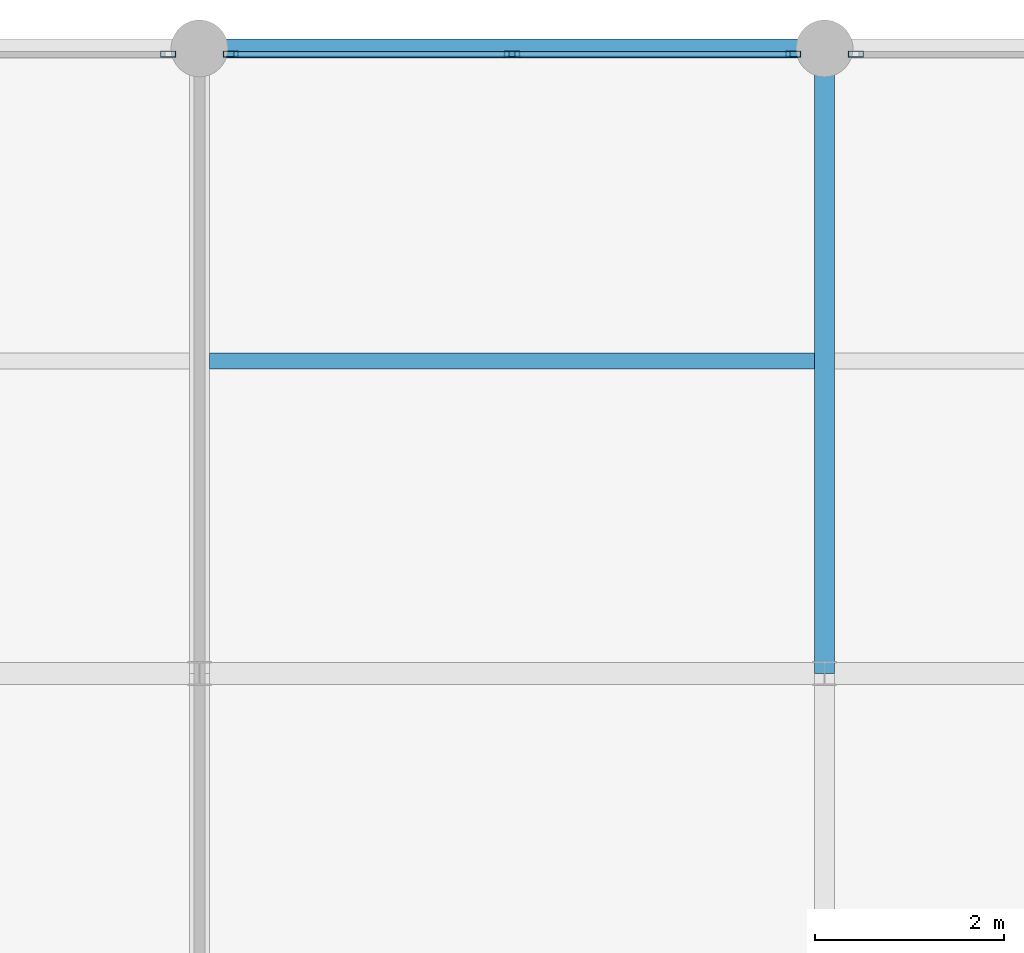
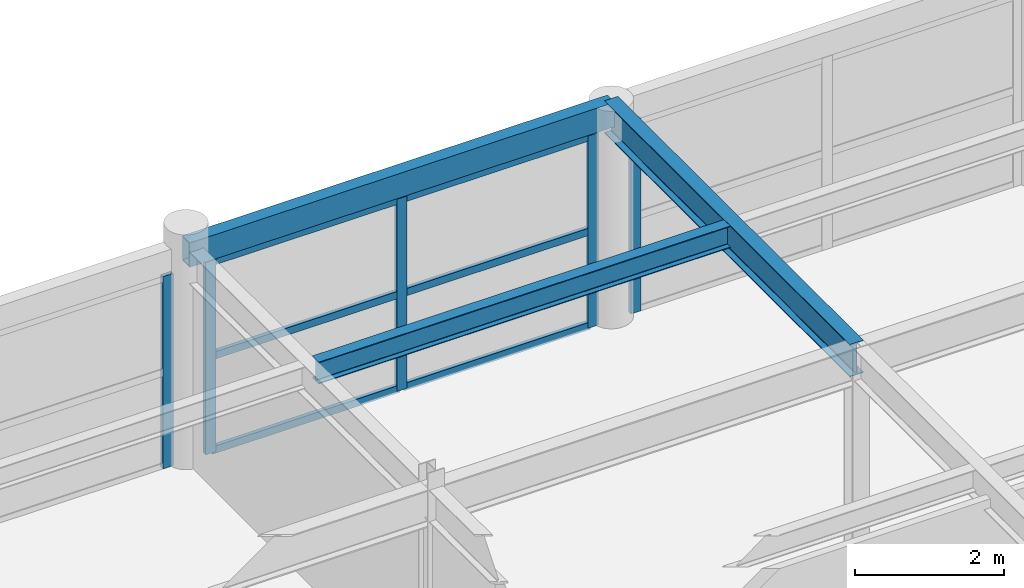
# One storey, part 10 of 17: 11 members, 3 beams, 3 elements without a shape of their own.
"""IFC4 building model written with IfcOpenShell, lengths in metres."""

from ifc_helpers import new_model, si_unit, direction, frame, origin, origin_2d, place, context, subcontext, project, spatial, hollow_rectangle, i_section, extrude, material, material_profile, profile_set, type_object, element, aggregate, save


model = new_model("IFC4")

# Units and contexts
model_context = context("Model", 3, precision=1e-05, world=origin(), true_north=direction((0.0, 1.0)))
body_context = subcontext(model_context, "Body", "Model", "MODEL_VIEW")
ifc_project = project(units=[si_unit("LENGTHUNIT", "METRE"), si_unit("AREAUNIT", "SQUARE_METRE"), si_unit("VOLUMEUNIT", "CUBIC_METRE"), si_unit("PLANEANGLEUNIT", "RADIAN"), si_unit("MASSUNIT", "GRAM", prefix="KILO")], contexts=[model_context])

# Site, building, storey
site_placement = place(None, origin())
site = spatial("IfcSite", under=ifc_project, at=site_placement, CompositionType="ELEMENT")
building_placement = place(site_placement, origin())
building = spatial("IfcBuilding", under=site, at=building_placement, Name="Karori Crest Natural Sciences Institute", CompositionType="ELEMENT")
storey_placement = place(building_placement, frame((0.0, 0.0, 38.14990234375)))
storey = spatial("IfcBuildingStorey", under=building, at=storey_placement, Name="L09", CompositionType="ELEMENT", Elevation=38.14990234375)

# Beams
ifc_material_1 = material(Name="Structural steel AS/NZS 3679.1 Grade 350", Category="steel")
ifc_material_profile_1 = material_profile(ifc_material_1, i_section(OverallWidth=0.208984375, OverallDepth=0.532958984375, WebThickness=0.01025390625, FlangeThickness=0.015625, FilletRadius=0.013916015625, at=origin_2d()), Name="530UB92.4")
ifc_profile_set_1 = profile_set([ifc_material_profile_1], Name="Structural steel AS/NZS 3679.1 Grade 350")
beam_type_1 = type_object("IfcBeamType", Name="BT-05", PredefinedType="BEAM", material=ifc_profile_set_1)
beam_1_placement = place(storey_placement, frame((143.199951171875, 14.0, 3.3037109375), z_axis=(0.0, 1.0, 0.0), x_axis=(-1.0, 0.0, 0.0)))
element("IfcBeam", 1, at=beam_1_placement, inside=storey, type_object=beam_type_1, Name="Beam B-2808", PredefinedType="BEAM", context=body_context, shape_type="SweptSolid", body=[
    extrude(i_section(OverallWidth=0.208984375, OverallDepth=0.532958984375, WebThickness=0.01025390625, FlangeThickness=0.015625, FilletRadius=0.013916015625, at=origin_2d()), origin(), (0.0, 0.0, 1.0), 6.60009765625),
])
ifc_material_profile_2 = material_profile(ifc_material_1, i_section(OverallWidth=0.172119140625, OverallDepth=0.35888671875, WebThickness=0.008056640625, FlangeThickness=0.012939453125, FilletRadius=0.010986328125, at=origin_2d()), Name="360UB56.7")
ifc_profile_set_2 = profile_set([ifc_material_profile_2], Name="Structural steel AS/NZS 3679.1 Grade 350")
beam_type_2 = type_object("IfcBeamType", Name="BT-08", PredefinedType="BEAM", material=ifc_profile_set_2)
beam_2_placement = place(storey_placement, frame((136.70458984375, 17.300048828125, 3.390625), z_axis=(1.0, 0.0, 0.0), x_axis=(0.0, 1.0, 0.0)))
element("IfcBeam", 2, at=beam_2_placement, inside=storey, type_object=beam_type_2, Name="Beam B-2825", PredefinedType="BEAM", context=body_context, shape_type="SweptSolid", body=[
    extrude(i_section(OverallWidth=0.172119140625, OverallDepth=0.35888671875, WebThickness=0.008056640625, FlangeThickness=0.012939453125, FilletRadius=0.010986328125, at=origin_2d()), origin(), (0.0, 0.0, 1.0), 6.390869140625),
])
ifc_material_2 = material(Name="Hollow structural steel AS/NZS 1163 Grade C350", Category="steel")
ifc_material_profile_3 = material_profile(ifc_material_2, hollow_rectangle(XDim=0.199951171875, YDim=0.39990234375, WallThickness=0.012451171875, at=origin_2d()), Name="RHS400x200x12.5")
ifc_profile_set_3 = profile_set([ifc_material_profile_3], Name="Hollow structural steel AS/NZS 1163 Grade C350")
beam_type_3 = type_object("IfcBeamType", Name="BT-14", PredefinedType="SPANDREL", material=ifc_profile_set_3)
beam_3_placement = place(storey_placement, frame((136.60009765625, 20.60009765625, 3.3701171875), z_axis=(1.0, 0.0, 0.0), x_axis=(0.0, 1.0, 0.0)))
element("IfcBeam", 3, at=beam_3_placement, inside=storey, type_object=beam_type_3, Name="Beam B-2786", PredefinedType="SPANDREL", context=body_context, shape_type="SweptSolid", body=[
    extrude(hollow_rectangle(XDim=0.199951171875, YDim=0.39990234375, WallThickness=0.012451171875, at=origin_2d()), origin(), (0.0, 0.0, 1.0), 6.599853515625),
])

# Curtain wall, member
ifc_material_3 = material(Name="Anodised architectural aluminium 6063-T6", Category="aluminium")
curtain_wall_type = type_object("IfcCurtainWallType", Name="CWT-20", PredefinedType="NOTDEFINED", material=ifc_material_3)
curtain_wall_1_placement = place(storey_placement, origin())
curtain_wall_1 = element("IfcCurtainWall", 4, at=curtain_wall_1_placement, inside=storey, type_object=curtain_wall_type, Name="Curtain wall CW-0376", PredefinedType="NOTDEFINED")
ifc_material_profile_4 = material_profile(ifc_material_3, hollow_rectangle(XDim=0.06494140625, YDim=0.159912109375, WallThickness=0.00390625, at=origin_2d()), Name="CWM160x65x4")
ifc_profile_set_4 = profile_set([ifc_material_profile_4], Name="Anodised architectural aluminium 6063-T6")
member_type_1 = type_object("IfcMemberType", Name="CWM-01", PredefinedType="MULLION", material=ifc_profile_set_4)
member_1_placement = place(storey_placement, frame((136.26953125, 20.5400390625, 0.0), z_axis=(0.0, 0.0, 1.0), x_axis=(0.0, 1.0, 0.0)))
member_1 = element("IfcMember", 5, at=member_1_placement, type_object=member_type_1, Name="CW-0376 mullion 3", PredefinedType="MULLION", context=body_context, shape_type="SweptSolid", body=[
    extrude(hollow_rectangle(XDim=0.06494140625, YDim=0.159912109375, WallThickness=0.00390625, at=origin_2d()), origin(), (0.0, 0.0, 1.0), 3.155029296875),
])
aggregate(curtain_wall_1, [member_1])

# Curtain wall, members
curtain_wall_2_placement = place(storey_placement, origin())
curtain_wall_2 = element("IfcCurtainWall", 6, at=curtain_wall_2_placement, inside=storey, type_object=curtain_wall_type, Name="Curtain wall CW-0377", PredefinedType="NOTDEFINED")
member_2_placement = place(storey_placement, frame((136.930419921875, 20.5400390625, 0.0), z_axis=(0.0, 0.0, 1.0), x_axis=(0.0, 1.0, 0.0)))
member_2 = element("IfcMember", 7, at=member_2_placement, type_object=member_type_1, Name="CW-0377 mullion 1", PredefinedType="MULLION", context=body_context, shape_type="SweptSolid", body=[
    extrude(hollow_rectangle(XDim=0.06494140625, YDim=0.159912109375, WallThickness=0.00390625, at=origin_2d()), origin(), (0.0, 0.0, 1.0), 3.155029296875),
])
member_3_placement = place(storey_placement, frame((139.89990234375, 20.5400390625, 0.0), z_axis=(0.0, 0.0, 1.0), x_axis=(0.0, 1.0, 0.0)))
member_3 = element("IfcMember", 8, at=member_3_placement, type_object=member_type_1, Name="CW-0377 mullion 2", PredefinedType="MULLION", context=body_context, shape_type="SweptSolid", body=[
    extrude(hollow_rectangle(XDim=0.06494140625, YDim=0.159912109375, WallThickness=0.00390625, at=origin_2d()), origin(), (0.0, 0.0, 1.0), 3.155029296875),
])
member_4_placement = place(storey_placement, frame((142.869384765625, 20.5400390625, 0.0), z_axis=(0.0, 0.0, 1.0), x_axis=(0.0, 1.0, 0.0)))
member_4 = element("IfcMember", 9, at=member_4_placement, type_object=member_type_1, Name="CW-0377 mullion 3", PredefinedType="MULLION", context=body_context, shape_type="SweptSolid", body=[
    extrude(hollow_rectangle(XDim=0.06494140625, YDim=0.159912109375, WallThickness=0.00390625, at=origin_2d()), origin(), (0.0, 0.0, 1.0), 3.155029296875),
])

# Curtain wall, member
curtain_wall_3_placement = place(storey_placement, origin())
curtain_wall_3 = element("IfcCurtainWall", 10, at=curtain_wall_3_placement, inside=storey, type_object=curtain_wall_type, Name="Curtain wall CW-0378", PredefinedType="NOTDEFINED")
member_5_placement = place(storey_placement, frame((143.530517578125, 20.5400390625, 0.0), z_axis=(0.0, 0.0, 1.0), x_axis=(0.0, 1.0, 0.0)))
member_5 = element("IfcMember", 11, at=member_5_placement, type_object=member_type_1, Name="CW-0378 mullion 1", PredefinedType="MULLION", context=body_context, shape_type="SweptSolid", body=[
    extrude(hollow_rectangle(XDim=0.06494140625, YDim=0.159912109375, WallThickness=0.00390625, at=origin_2d()), origin(), (0.0, 0.0, 1.0), 3.155029296875),
])
aggregate(curtain_wall_3, [member_5])

# Member
ifc_material_profile_5 = material_profile(ifc_material_3, hollow_rectangle(XDim=0.06005859375, YDim=0.1201171875, WallThickness=0.00390625, at=origin_2d()), Name="CWT120x60x4")
ifc_profile_set_5 = profile_set([ifc_material_profile_5], Name="Anodised architectural aluminium 6063-T6")
member_type_2 = type_object("IfcMemberType", Name="CWT-TR1", PredefinedType="USERDEFINED", material=ifc_profile_set_5)
member_6_placement = place(storey_placement, frame((136.962890625, 20.5400390625, 0.030029296875), z_axis=(1.0, 0.0, 0.0), x_axis=(0.0, 1.0, 0.0)))
member_6 = element("IfcMember", 12, at=member_6_placement, type_object=member_type_2, Name="CW-0377 transom 1.1", ObjectType="TRANSOM", PredefinedType="USERDEFINED", context=body_context, shape_type="SweptSolid", body=[
    extrude(hollow_rectangle(XDim=0.06005859375, YDim=0.1201171875, WallThickness=0.00390625, at=origin_2d()), origin(), (0.0, 0.0, 1.0), 2.904541015625),
])

member_7_placement = place(storey_placement, frame((136.962890625, 20.5400390625, 1.57763671875), z_axis=(1.0, 0.0, 0.0), x_axis=(0.0, 1.0, 0.0)))
member_7 = element("IfcMember", 13, at=member_7_placement, type_object=member_type_2, Name="CW-0377 transom 1.2", ObjectType="TRANSOM", PredefinedType="USERDEFINED", context=body_context, shape_type="SweptSolid", body=[
    extrude(hollow_rectangle(XDim=0.06005859375, YDim=0.1201171875, WallThickness=0.00390625, at=origin_2d()), origin(), (0.0, 0.0, 1.0), 2.904541015625),
])

member_8_placement = place(storey_placement, frame((136.962890625, 20.5400390625, 3.125), z_axis=(1.0, 0.0, 0.0), x_axis=(0.0, 1.0, 0.0)))
member_8 = element("IfcMember", 14, at=member_8_placement, type_object=member_type_2, Name="CW-0377 transom 1.3", ObjectType="TRANSOM", PredefinedType="USERDEFINED", context=body_context, shape_type="SweptSolid", body=[
    extrude(hollow_rectangle(XDim=0.06005859375, YDim=0.1201171875, WallThickness=0.00390625, at=origin_2d()), origin(), (0.0, 0.0, 1.0), 2.904541015625),
])

member_9_placement = place(storey_placement, frame((139.9326171875, 20.5400390625, 0.030029296875), z_axis=(1.0, 0.0, 0.0), x_axis=(0.0, 1.0, 0.0)))
member_9 = element("IfcMember", 15, at=member_9_placement, type_object=member_type_2, Name="CW-0377 transom 2.1", ObjectType="TRANSOM", PredefinedType="USERDEFINED", context=body_context, shape_type="SweptSolid", body=[
    extrude(hollow_rectangle(XDim=0.06005859375, YDim=0.1201171875, WallThickness=0.00390625, at=origin_2d()), origin(), (0.0, 0.0, 1.0), 2.904296875),
])

member_10_placement = place(storey_placement, frame((139.9326171875, 20.5400390625, 1.57763671875), z_axis=(1.0, 0.0, 0.0), x_axis=(0.0, 1.0, 0.0)))
member_10 = element("IfcMember", 16, at=member_10_placement, type_object=member_type_2, Name="CW-0377 transom 2.2", ObjectType="TRANSOM", PredefinedType="USERDEFINED", context=body_context, shape_type="SweptSolid", body=[
    extrude(hollow_rectangle(XDim=0.06005859375, YDim=0.1201171875, WallThickness=0.00390625, at=origin_2d()), origin(), (0.0, 0.0, 1.0), 2.904296875),
])

member_11_placement = place(storey_placement, frame((139.9326171875, 20.5400390625, 3.125), z_axis=(1.0, 0.0, 0.0), x_axis=(0.0, 1.0, 0.0)))
member_11 = element("IfcMember", 17, at=member_11_placement, type_object=member_type_2, Name="CW-0377 transom 2.3", ObjectType="TRANSOM", PredefinedType="USERDEFINED", context=body_context, shape_type="SweptSolid", body=[
    extrude(hollow_rectangle(XDim=0.06005859375, YDim=0.1201171875, WallThickness=0.00390625, at=origin_2d()), origin(), (0.0, 0.0, 1.0), 2.904296875),
])

aggregate(curtain_wall_2, [member_2, member_3, member_4, member_6, member_7, member_8, member_9, member_10, member_11])

save(model, "model.ifc")
